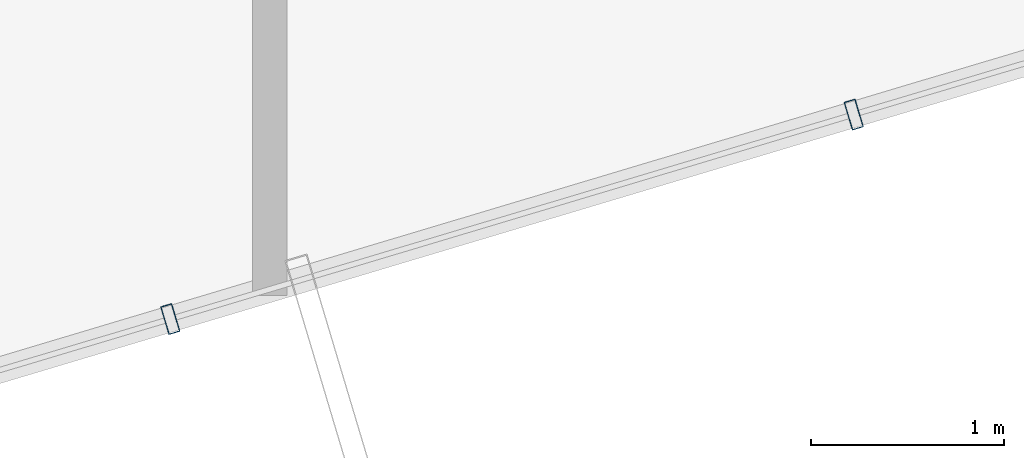
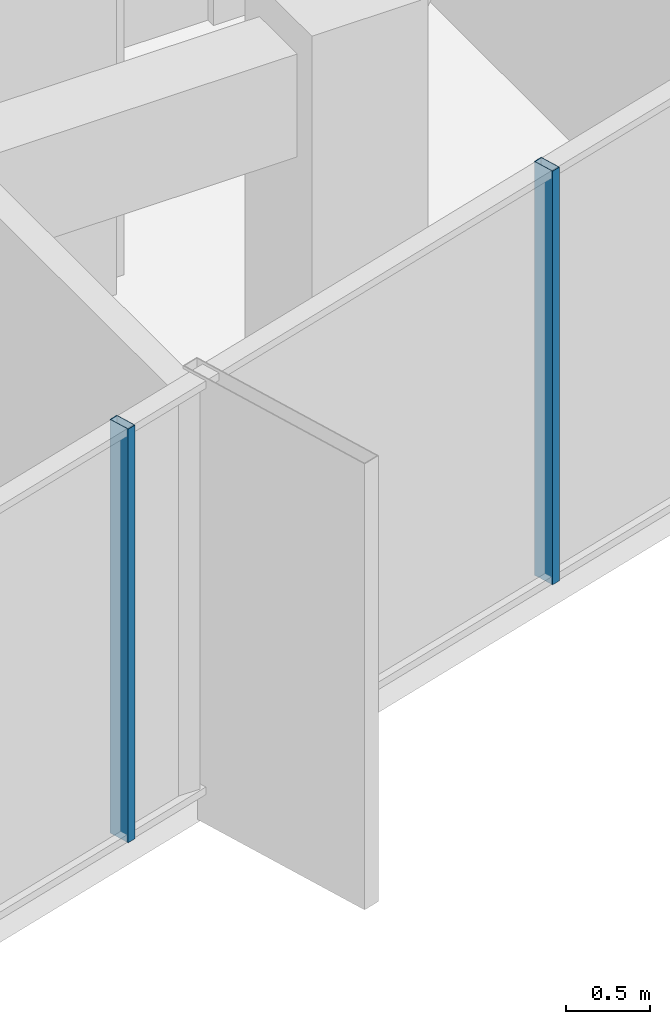
# One storey, part 7 of 28: 2 members, 1 element without a shape of its own.
"""IFC4 building model written with IfcOpenShell, lengths in metres."""

from ifc_helpers import new_model, si_unit, direction, frame, origin, origin_2d, place, context, subcontext, project, spatial, hollow_rectangle, extrude, source, transform, mapped, material, layer, layer_set, material_profile, profile_set, type_object, element, aggregate, save


model = new_model("IFC4")

# Units and contexts
model_context = context("Model", 3, precision=1e-05, world=origin(), true_north=direction((0.0, 1.0)))
body_context = subcontext(model_context, "Body", "Model", "MODEL_VIEW")
ifc_project = project(units=[si_unit("LENGTHUNIT", "METRE"), si_unit("AREAUNIT", "SQUARE_METRE"), si_unit("VOLUMEUNIT", "CUBIC_METRE"), si_unit("PLANEANGLEUNIT", "RADIAN"), si_unit("MASSUNIT", "GRAM", prefix="KILO")], contexts=[model_context])

# Site, building, storey
site_placement = place(None, origin())
site = spatial("IfcSite", under=ifc_project, at=site_placement, CompositionType="ELEMENT")
building_placement = place(site_placement, origin())
building = spatial("IfcBuilding", under=site, at=building_placement, Name="Veraguas Prism Commons", CompositionType="ELEMENT")
storey_placement = place(building_placement, frame((0.0, 0.0, 254.5)))
storey = spatial("IfcBuildingStorey", under=building, at=storey_placement, Name="L72", CompositionType="ELEMENT", Elevation=254.5)

# Curtain wall, members
ifc_material = material(Name="Anodised aluminium EN AW-6063 T6", Category="aluminium")
ifc_layer = layer(ifc_material, 0.14990234375, Name="Unitised Flush Curtain Wall Zone 4", Category="aluminium")
ifc_layer_set = layer_set([ifc_layer], Name="Anodised aluminium EN AW-6063 T6")
curtain_wall_type = type_object("IfcCurtainWallType", Name="Unitised Flush Curtain Wall Zone 4", PredefinedType="NOTDEFINED", material=ifc_layer_set)
curtain_wall_placement = place(storey_placement, origin())
curtain_wall = element("IfcCurtainWall", 1, at=curtain_wall_placement, inside=storey, type_object=curtain_wall_type, Name="Tower Facade Curtain Wall L72-F5", PredefinedType="NOTDEFINED")
ifc_material_profile = material_profile(ifc_material, hollow_rectangle(XDim=0.06005859375, YDim=0.14990234375, WallThickness=0.0029296875, at=origin_2d()), Name="AL60X150X3")
ifc_profile_set = profile_set([ifc_material_profile], Name="Anodised aluminium EN AW-6063 T6")
member_type = type_object("IfcMemberType", Name="Curtain Wall Mullion Upper AL 60x150x3", PredefinedType="MULLION", material=ifc_profile_set)
shared_shape = source(origin(), body_context, "Body", "SweptSolid", [
    extrude(hollow_rectangle(XDim=0.06005859375, YDim=0.14990234375, WallThickness=0.0029296875, at=origin_2d()), origin(), (0.0, 0.0, 1.0), 3.014892578125),
])
member_1_placement = place(storey_placement, frame((25.1806640625, 7.177734375, 0.0), z_axis=(0.0, 0.0, 1.0), x_axis=(0.958022876902, 0.286691763629, 0.0)))
member_1 = element("IfcMember", 2, at=member_1_placement, type_object=member_type, Name="CW-Z4 Mullion 2", PredefinedType="MULLION", context=body_context, shape_type="MappedRepresentation", body=[
    mapped(shared_shape, transform((0.0, 0.0, 0.0), scale=1.0)),
])
member_2_placement = place(storey_placement, frame((28.71728515625, 8.236083984375, 0.0), z_axis=(0.0, 0.0, 1.0), x_axis=(0.958022876902, 0.286691763629, 0.0)))
member_2 = element("IfcMember", 3, at=member_2_placement, type_object=member_type, Name="CW-Z4 Mullion 3", PredefinedType="MULLION", context=body_context, shape_type="MappedRepresentation", body=[
    mapped(shared_shape, transform((0.0, 0.0, 0.0), scale=1.0)),
])
aggregate(curtain_wall, [member_1, member_2])

save(model, "model.ifc")
